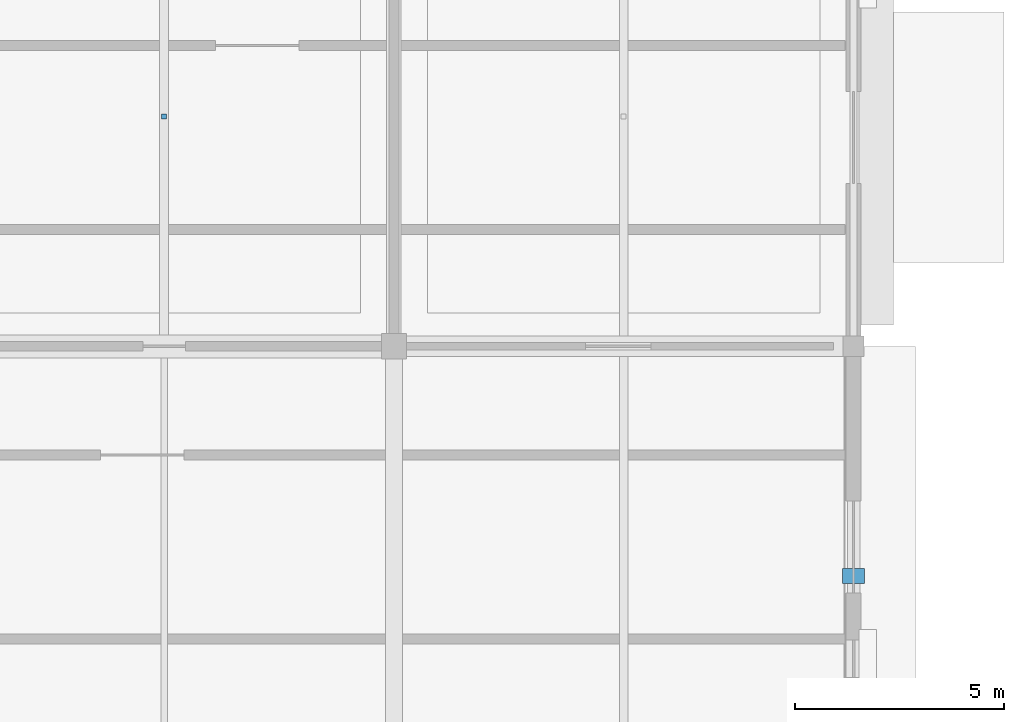
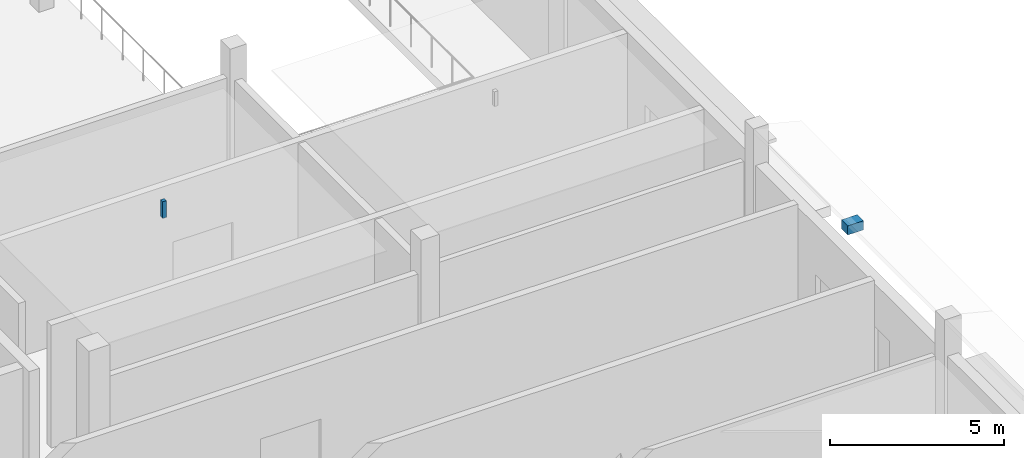
# One storey, part 87 of 120: 2 discrete accessories.
"""IFC4 building model written with IfcOpenShell, lengths in metres."""

from ifc_helpers import new_model, si_unit, direction, frame, origin, origin_2d, place, context, subcontext, project, spatial, rectangle, extrude, material, layer, layer_set, type_object, element, save


model = new_model("IFC4")

# Units and contexts
model_context = context("Model", 3, precision=1e-05, world=origin(), true_north=direction((0.0, 1.0)))
body_context = subcontext(model_context, "Body", "Model", "MODEL_VIEW")
ifc_project = project(units=[si_unit("LENGTHUNIT", "METRE"), si_unit("AREAUNIT", "SQUARE_METRE"), si_unit("VOLUMEUNIT", "CUBIC_METRE"), si_unit("PLANEANGLEUNIT", "RADIAN"), si_unit("MASSUNIT", "GRAM", prefix="KILO")], contexts=[model_context])

# Site, building, storey
site_placement = place(None, origin())
site = spatial("IfcSite", under=ifc_project, at=site_placement, CompositionType="ELEMENT")
building_placement = place(site_placement, origin())
building = spatial("IfcBuilding", under=site, at=building_placement, Name="Luwafu Chhajja Arena", CompositionType="ELEMENT")
storey_placement = place(building_placement, origin())
storey = spatial("IfcBuildingStorey", under=building, at=storey_placement, Name="L00", CompositionType="ELEMENT", Elevation=0.0)

# Discrete accessories
ifc_material = material(Name="Stainless steel bracket", Category="steel")
ifc_layer = layer(ifc_material, 0.179931640625, Name="Stainless steel bracket")
ifc_layer_set = layer_set([ifc_layer], Name="Stainless steel bracket")
discrete_accessory_type = type_object("IfcDiscreteAccessoryType", Name="Stainless Steel Facade Support Bracket", PredefinedType="BRACKET", material=ifc_layer_set)
discrete_accessory_1_placement = place(storey_placement, frame((198.0, 49.5, 4.97998046875), z_axis=(0.0, 0.0, 1.0), x_axis=(0.0, 1.0, 0.0)))
element("IfcDiscreteAccessory", 1, at=discrete_accessory_1_placement, inside=storey, type_object=discrete_accessory_type, Name="L00 Chhajja Eave Support Bracket 0116", PredefinedType="BRACKET", context=body_context, shape_type="SweptSolid", body=[
    extrude(rectangle(XDim=0.360107421875, YDim=0.52001953125, at=origin_2d()), origin(), (0.0, 0.0, 1.0), 0.320068359375),
])
discrete_accessory_2_placement = place(storey_placement, frame((181.5, 60.5, 4.52294921875), z_axis=(0.0, 0.0, 1.0), x_axis=(1.0, 0.0, 0.0)))
element("IfcDiscreteAccessory", 2, at=discrete_accessory_2_placement, inside=storey, type_object=discrete_accessory_type, Name="L00 Ceiling Suspension Hanger 019", PredefinedType="BRACKET", context=body_context, shape_type="SweptSolid", body=[
    extrude(rectangle(XDim=0.1201171875, YDim=0.1201171875, at=origin_2d()), origin(), (0.0, 0.0, 1.0), 0.587158203125),
])

save(model, "model.ifc")
